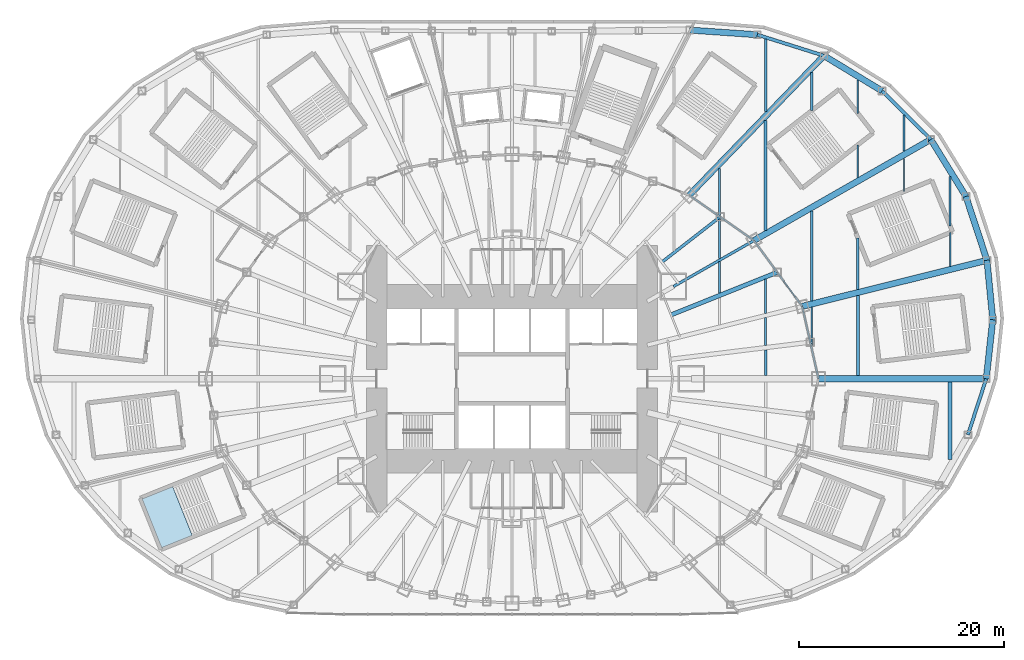
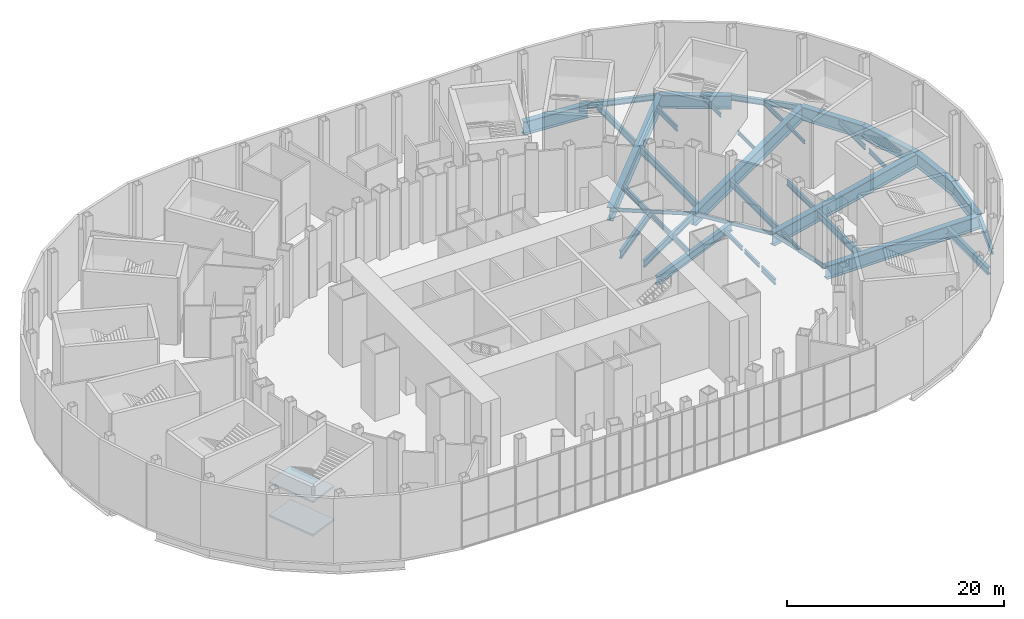
# One storey, part 10 of 73: 42 beams, 2 slabs, 1 element without a shape of its own.
"""IFC4 building model written with IfcOpenShell, lengths in metres."""

from ifc_helpers import new_model, si_unit, direction, frame, origin, origin_2d, place, context, subcontext, project, spatial, polyline, i_section, outline, extrude, material, layer, layer_set, material_profile, profile_set, type_object, element, aggregate, save


model = new_model("IFC4")

# Units and contexts
model_context = context("Model", 3, precision=1e-05, world=origin(), true_north=direction((0.0, 1.0)))
body_context = subcontext(model_context, "Body", "Model", "MODEL_VIEW")
ifc_project = project(units=[si_unit("LENGTHUNIT", "METRE"), si_unit("AREAUNIT", "SQUARE_METRE"), si_unit("VOLUMEUNIT", "CUBIC_METRE"), si_unit("PLANEANGLEUNIT", "RADIAN"), si_unit("MASSUNIT", "GRAM", prefix="KILO")], contexts=[model_context])

# Site, building, storey
site_placement = place(None, origin())
site = spatial("IfcSite", under=ifc_project, at=site_placement, CompositionType="ELEMENT")
building_placement = place(site_placement, origin())
building = spatial("IfcBuilding", under=site, at=building_placement, Name="Lantaw Convention Tower", CompositionType="ELEMENT")
storey_placement = place(building_placement, frame((0.0, 0.0, 14.5)))
storey = spatial("IfcBuildingStorey", under=building, at=storey_placement, Name="L02", CompositionType="ELEMENT", Elevation=14.5)

# Beams
ifc_material_1 = material(Name="Steel ASTM A572 Grade 50", Category="steel")
ifc_material_profile_1 = material_profile(ifc_material_1, i_section(OverallWidth=0.60009765625, OverallDepth=1.5, WebThickness=0.02490234375, FlangeThickness=0.06005859375, at=origin_2d()), Name="PG1500X600X25X60")
ifc_profile_set_1 = profile_set([ifc_material_profile_1], Name="Steel ASTM A572 Grade 50")
beam_type_1 = type_object("IfcBeamType", Name="Beam E PG1500X600X25X60", PredefinedType="SPANDREL", material=ifc_profile_set_1)
beam_1_placement = place(storey_placement, frame((46.2724609375, 0.0, -0.949951171875), z_axis=(0.109673093737, 0.993967712006, 0.0), x_axis=(-0.993967712006, 0.109673093737, 0.0)))
element("IfcBeam", 1, at=beam_1_placement, inside=storey, type_object=beam_type_1, Name="Podium edge beam R00", PredefinedType="SPANDREL", context=body_context, shape_type="SweptSolid", body=[
    extrude(i_section(OverallWidth=0.60009765625, OverallDepth=1.5, WebThickness=0.02490234375, FlangeThickness=0.06005859375, at=origin_2d()), origin(), (0.0, 0.0, 1.0), 5.79443359375),
])
beam_2_placement = place(storey_placement, frame((46.907958984375, 5.759521484375, -0.949951171875), z_axis=(-0.097112121047, 0.995273447825, 0.0), x_axis=(-0.995273447825, -0.097112121047, 0.0)))
element("IfcBeam", 2, at=beam_2_placement, inside=storey, type_object=beam_type_1, Name="Podium edge beam B00", PredefinedType="SPANDREL", context=body_context, shape_type="SweptSolid", body=[
    extrude(i_section(OverallWidth=0.60009765625, OverallDepth=1.5, WebThickness=0.02490234375, FlangeThickness=0.06005859375, at=origin_2d()), origin(), (0.0, 0.0, 1.0), 5.822509765625),
])
beam_3_placement = place(storey_placement, frame((46.342529296875, 11.554443359375, -0.949951171875), z_axis=(-0.312739573604, 0.949838912186, 0.0), x_axis=(-0.949838912186, -0.312739573604, 0.0)))
element("IfcBeam", 3, at=beam_3_placement, inside=storey, type_object=beam_type_1, Name="Podium edge beam R01", PredefinedType="SPANDREL", context=body_context, shape_type="SweptSolid", body=[
    extrude(i_section(OverallWidth=0.60009765625, OverallDepth=1.5, WebThickness=0.02490234375, FlangeThickness=0.06005859375, at=origin_2d()), origin(), (0.0, 0.0, 1.0), 6.55517578125),
])
beam_4_placement = place(storey_placement, frame((44.29248046875, 17.78076171875, -0.949951171875), z_axis=(-0.524178644867, 0.851608330317, 0.0), x_axis=(-0.851608330317, -0.524178644867, 0.0)))
element("IfcBeam", 4, at=beam_4_placement, inside=storey, type_object=beam_type_1, Name="Podium edge beam B01", PredefinedType="SPANDREL", context=body_context, shape_type="SweptSolid", body=[
    extrude(i_section(OverallWidth=0.60009765625, OverallDepth=1.5, WebThickness=0.02490234375, FlangeThickness=0.06005859375, at=origin_2d()), origin(), (0.0, 0.0, 1.0), 6.54052734375),
])
beam_5_placement = place(storey_placement, frame((36.107666015625, 28.081298828125, -0.949951171875), z_axis=(-0.855269526547, 0.518183400893, 0.0), x_axis=(-0.518183400893, -0.855269526547, 0.0)))
element("IfcBeam", 5, at=beam_5_placement, inside=storey, type_object=beam_type_1, Name="Podium edge beam B02", PredefinedType="SPANDREL", context=body_context, shape_type="SweptSolid", body=[
    extrude(i_section(OverallWidth=0.60009765625, OverallDepth=1.5, WebThickness=0.02490234375, FlangeThickness=0.06005859375, at=origin_2d()), origin(), (0.0, 0.0, 1.0), 6.63134765625),
])
beam_6_placement = place(storey_placement, frame((23.940185546875, 33.562744140625, -0.949951171875), z_axis=(-0.997615470709, 0.069017190627, 0.0), x_axis=(-0.069017190627, -0.997615470709, 0.0)))
element("IfcBeam", 6, at=beam_6_placement, inside=storey, type_object=beam_type_1, Name="Podium edge beam B03", PredefinedType="SPANDREL", context=body_context, shape_type="SweptSolid", body=[
    extrude(i_section(OverallWidth=0.60009765625, OverallDepth=1.5, WebThickness=0.02490234375, FlangeThickness=0.06005859375, at=origin_2d()), origin(), (0.0, 0.0, 1.0), 6.6220703125),
])
ifc_material_2 = material(Name="Steel ASTM A992", Category="steel")
ifc_material_profile_2 = material_profile(ifc_material_2, i_section(OverallWidth=0.140380859375, OverallDepth=0.40380859375, WebThickness=0.007080078125, FlangeThickness=0.01123046875, FilletRadius=0.01025390625, at=origin_2d()), Name="W16X31")
ifc_profile_set_2 = profile_set([ifc_material_profile_2], Name="Steel ASTM A992")
beam_type_2 = type_object("IfcBeamType", Name="Beam E W16X31", PredefinedType="SPANDREL", material=ifc_profile_set_2)
beam_7_placement = place(storey_placement, frame((29.099365234375, 3.572998046875, -0.40185546875), z_axis=(-0.218673326171, 0.97579812278, 0.0), x_axis=(-0.97579812278, -0.218673326171, 0.0)))
element("IfcBeam", 7, at=beam_7_placement, inside=storey, type_object=beam_type_2, Name="Edge beam 1", PredefinedType="SPANDREL", context=body_context, shape_type="SweptSolid", body=[
    extrude(i_section(OverallWidth=0.140380859375, OverallDepth=0.40380859375, WebThickness=0.007080078125, FlangeThickness=0.01123046875, FilletRadius=0.01025390625, at=origin_2d()), origin(), (0.0, 0.0, 1.0), 3.57373046875),
])
beam_8_placement = place(storey_placement, frame((28.31787109375, 7.060302734375, -0.40185546875), z_axis=(-0.591255937291, 0.806483984105, 0.0), x_axis=(-0.806483984105, -0.591255937291, 0.0)))
element("IfcBeam", 8, at=beam_8_placement, inside=storey, type_object=beam_type_2, Name="Edge beam 2", PredefinedType="SPANDREL", context=body_context, shape_type="SweptSolid", body=[
    extrude(i_section(OverallWidth=0.140380859375, OverallDepth=0.40380859375, WebThickness=0.007080078125, FlangeThickness=0.01123046875, FilletRadius=0.01025390625, at=origin_2d()), origin(), (0.0, 0.0, 1.0), 4.126708984375),
])
beam_9_placement = place(storey_placement, frame((25.8779296875, 10.388427734375, -0.40185546875), z_axis=(-0.591286566758, 0.806461527893, 0.0), x_axis=(-0.806461527893, -0.591286566758, 0.0)))
element("IfcBeam", 9, at=beam_9_placement, inside=storey, type_object=beam_type_2, Name="Edge beam 2", PredefinedType="SPANDREL", context=body_context, shape_type="SweptSolid", body=[
    extrude(i_section(OverallWidth=0.140380859375, OverallDepth=0.40380859375, WebThickness=0.007080078125, FlangeThickness=0.01123046875, FilletRadius=0.01025390625, at=origin_2d()), origin(), (0.0, 0.0, 1.0), 3.843994140625),
])
beam_10_placement = place(storey_placement, frame((23.60498046875, 13.488525390625, -0.40185546875), z_axis=(-0.819442856133, 0.573160889744, 0.0), x_axis=(-0.573160889744, -0.819442856133, 0.0)))
element("IfcBeam", 10, at=beam_10_placement, inside=storey, type_object=beam_type_2, Name="Edge beam 3", PredefinedType="SPANDREL", context=body_context, shape_type="SweptSolid", body=[
    extrude(i_section(OverallWidth=0.140380859375, OverallDepth=0.40380859375, WebThickness=0.007080078125, FlangeThickness=0.01123046875, FilletRadius=0.01025390625, at=origin_2d()), origin(), (0.0, 0.0, 1.0), 4.022705078125),
])
beam_11_placement = place(storey_placement, frame((20.30859375, 15.794189453125, -0.40185546875), z_axis=(-0.819409395821, 0.573208724672, 0.0), x_axis=(-0.573208724672, -0.819409395821, 0.0)))
element("IfcBeam", 11, at=beam_11_placement, inside=storey, type_object=beam_type_2, Name="Edge beam 3", PredefinedType="SPANDREL", context=body_context, shape_type="SweptSolid", body=[
    extrude(i_section(OverallWidth=0.140380859375, OverallDepth=0.40380859375, WebThickness=0.007080078125, FlangeThickness=0.01123046875, FilletRadius=0.01025390625, at=origin_2d()), origin(), (0.0, 0.0, 1.0), 3.682861328125),
])
ifc_material_profile_3 = material_profile(ifc_material_2, i_section(OverallWidth=0.15234375, OverallDepth=0.449462890625, WebThickness=0.007568359375, FlangeThickness=0.0107421875, FilletRadius=0.01025390625, at=origin_2d()), Name="W18X35")
ifc_profile_set_3 = profile_set([ifc_material_profile_3], Name="Steel ASTM A992")
beam_type_3 = type_object("IfcBeamType", Name="Beam E W18X35", PredefinedType="SPANDREL", material=ifc_profile_set_3)
beam_12_placement = place(storey_placement, frame((29.89990234375, 0.0, -0.4248046875), z_axis=(-0.218631550323, 0.975807483679, 0.0), x_axis=(-0.975807483679, -0.218631550323, 0.0)))
element("IfcBeam", 12, at=beam_12_placement, inside=storey, type_object=beam_type_3, Name="Edge beam 1", PredefinedType="SPANDREL", context=body_context, shape_type="SweptSolid", body=[
    extrude(i_section(OverallWidth=0.15234375, OverallDepth=0.449462890625, WebThickness=0.007568359375, FlangeThickness=0.0107421875, FilletRadius=0.01025390625, at=origin_2d()), origin(), (0.0, 0.0, 1.0), 3.66162109375),
])
ifc_material_profile_4 = material_profile(ifc_material_2, i_section(OverallWidth=0.3251953125, OverallDepth=0.612060546875, WebThickness=0.0126953125, FlangeThickness=0.01904296875, FilletRadius=0.0126953125, at=origin_2d()), Name="W24X104")
ifc_profile_set_4 = profile_set([ifc_material_profile_4], Name="Steel ASTM A992")
beam_type_4 = type_object("IfcBeamType", Name="Beam E W24X104", PredefinedType="SPANDREL", material=ifc_profile_set_4)
beam_13_placement = place(storey_placement, frame((40.864013671875, 23.350830078125, -0.506103515625), z_axis=(-0.709033046271, 0.705175254314, 0.0), x_axis=(-0.705175254314, -0.709033046271, 0.0)))
element("IfcBeam", 13, at=beam_13_placement, inside=storey, type_object=beam_type_4, Name="Podium edge beam R02", PredefinedType="SPANDREL", context=body_context, shape_type="SweptSolid", body=[
    extrude(i_section(OverallWidth=0.3251953125, OverallDepth=0.612060546875, WebThickness=0.0126953125, FlangeThickness=0.01904296875, FilletRadius=0.0126953125, at=origin_2d()), origin(), (0.0, 0.0, 1.0), 6.708251953125),
])
beam_14_placement = place(storey_placement, frame((30.43603515625, 31.517578125, -0.506103515625), z_axis=(-0.953841834513, 0.300309431643, 0.0), x_axis=(-0.300309431643, -0.953841834513, 0.0)))
element("IfcBeam", 14, at=beam_14_placement, inside=storey, type_object=beam_type_4, Name="Podium edge beam R03", PredefinedType="SPANDREL", context=body_context, shape_type="SweptSolid", body=[
    extrude(i_section(OverallWidth=0.3251953125, OverallDepth=0.612060546875, WebThickness=0.0126953125, FlangeThickness=0.01904296875, FilletRadius=0.0126953125, at=origin_2d()), origin(), (0.0, 0.0, 1.0), 6.810302734375),
])
beam_15_placement = place(storey_placement, frame((44.488525390625, -5.46240234375, -0.506103515625), z_axis=(0.310448009473, 0.950590360468, 0.0), x_axis=(-0.950590360468, 0.310448009473, 0.0)))
element("IfcBeam", 15, at=beam_15_placement, inside=storey, type_object=beam_type_4, Name="Podium edge beam B23", PredefinedType="SPANDREL", context=body_context, shape_type="SweptSolid", body=[
    extrude(i_section(OverallWidth=0.3251953125, OverallDepth=0.612060546875, WebThickness=0.0126953125, FlangeThickness=0.01904296875, FilletRadius=0.0126953125, at=origin_2d()), origin(), (0.0, 0.0, 1.0), 5.746337890625),
])
ifc_material_profile_5 = material_profile(ifc_material_2, i_section(OverallWidth=0.2666015625, OverallDepth=0.76953125, WebThickness=0.015625, FlangeThickness=0.025390625, FilletRadius=0.0126953125, at=origin_2d()), Name="W30X132")
ifc_profile_set_5 = profile_set([ifc_material_profile_5], Name="Steel ASTM A992")
beam_type_5 = type_object("IfcBeamType", Name="Beam G W30X132", PredefinedType="BEAM", material=ifc_profile_set_5)
beam_16_placement = place(storey_placement, frame((15.75, 9.0, -0.584716796875), z_axis=(0.868244802791, 0.496136032179, 0.0), x_axis=(-0.496136032179, 0.868244802791, 0.0)))
element("IfcBeam", 16, at=beam_16_placement, inside=storey, type_object=beam_type_5, Name="Floor girder on ray 3", PredefinedType="BEAM", context=body_context, shape_type="SweptSolid", body=[
    extrude(i_section(OverallWidth=0.2666015625, OverallDepth=0.76953125, WebThickness=0.015625, FlangeThickness=0.025390625, FilletRadius=0.0126953125, at=origin_2d()), origin(), (0.0, 0.0, 1.0), 9.046875),
])
ifc_material_profile_6 = material_profile(ifc_material_2, i_section(OverallWidth=0.2919921875, OverallDepth=0.845703125, WebThickness=0.015380859375, FlangeThickness=0.0244140625, FilletRadius=0.01513671875, at=origin_2d()), Name="W33X141")
ifc_profile_set_6 = profile_set([ifc_material_profile_6], Name="Steel ASTM A992")
beam_type_6 = type_object("IfcBeamType", Name="Beam G W33X141", PredefinedType="BEAM", material=ifc_profile_set_6)
beam_17_placement = place(storey_placement, frame((14.628173828125, 11.37646484375, -0.622802734375), z_axis=(0.789377792374, 0.613907729961, 0.0), x_axis=(-0.613907729961, 0.789377792374, 0.0)))
element("IfcBeam", 17, at=beam_17_placement, inside=storey, type_object=beam_type_6, Name="Floor girder on bisector 3", PredefinedType="BEAM", context=body_context, shape_type="SweptSolid", body=[
    extrude(i_section(OverallWidth=0.2919921875, OverallDepth=0.845703125, WebThickness=0.015380859375, FlangeThickness=0.0244140625, FilletRadius=0.01513671875, at=origin_2d()), origin(), (0.0, 0.0, 1.0), 7.196044921875),
])
ifc_material_profile_7 = material_profile(ifc_material_2, i_section(OverallWidth=0.421630859375, OverallDepth=0.937255859375, WebThickness=0.0224609375, FlangeThickness=0.039794921875, FilletRadius=0.02001953125, at=origin_2d()), Name="W36X282")
ifc_profile_set_7 = profile_set([ifc_material_profile_7], Name="Steel ASTM A992")
beam_type_7 = type_object("IfcBeamType", Name="Beam G W36X282", PredefinedType="BEAM", material=ifc_profile_set_7)
beam_18_placement = place(storey_placement, frame((15.52001953125, 6.23046875, -0.668701171875), z_axis=(0.928018900171, 0.372533113864, 0.0), x_axis=(-0.372533113864, 0.928018900171, 0.0)))
element("IfcBeam", 18, at=beam_18_placement, inside=storey, type_object=beam_type_7, Name="Floor girder on bisector 2", PredefinedType="BEAM", context=body_context, shape_type="SweptSolid", body=[
    extrude(i_section(OverallWidth=0.421630859375, OverallDepth=0.937255859375, WebThickness=0.0224609375, FlangeThickness=0.039794921875, FilletRadius=0.02001953125, at=origin_2d()), origin(), (0.0, 0.0, 1.0), 11.161376953125),
])
ifc_material_profile_8 = material_profile(ifc_material_2, i_section(OverallWidth=0.140380859375, OverallDepth=0.40380859375, WebThickness=0.007080078125, FlangeThickness=0.01123046875, FilletRadius=0.01025390625, at=origin_2d()), Name="W16X31")
ifc_profile_set_8 = profile_set([ifc_material_profile_8], Name="Steel ASTM A992")
beam_type_8 = type_object("IfcBeamType", Name="Beam J W16X31", PredefinedType="JOIST", material=ifc_profile_set_8)
beam_19_placement = place(storey_placement, frame((38.25, 18.264404296875, -0.40185546875), z_axis=(0.0, 1.0, 0.0), x_axis=(-1.0, 0.0, 0.0)))
element("IfcBeam", 19, at=beam_19_placement, inside=storey, type_object=beam_type_8, Name="Floor joist", PredefinedType="JOIST", context=body_context, shape_type="SweptSolid", body=[
    extrude(i_section(OverallWidth=0.140380859375, OverallDepth=0.40380859375, WebThickness=0.007080078125, FlangeThickness=0.01123046875, FilletRadius=0.01025390625, at=origin_2d()), origin(), (0.0, 0.0, 1.0), 3.247314453125),
])
ifc_material_profile_9 = material_profile(ifc_material_2, i_section(OverallWidth=0.15234375, OverallDepth=0.449462890625, WebThickness=0.007568359375, FlangeThickness=0.0107421875, FilletRadius=0.01025390625, at=origin_2d()), Name="W18X35")
ifc_profile_set_9 = profile_set([ifc_material_profile_9], Name="Steel ASTM A992")
beam_type_9 = type_object("IfcBeamType", Name="Beam J W18X35", PredefinedType="JOIST", material=ifc_profile_set_9)
beam_20_placement = place(storey_placement, frame((33.75, 19.63134765625, -0.4248046875), z_axis=(0.0, 1.0, 0.0), x_axis=(-1.0, 0.0, 0.0)))
element("IfcBeam", 20, at=beam_20_placement, inside=storey, type_object=beam_type_9, Name="Floor joist", PredefinedType="JOIST", context=body_context, shape_type="SweptSolid", body=[
    extrude(i_section(OverallWidth=0.15234375, OverallDepth=0.449462890625, WebThickness=0.007568359375, FlangeThickness=0.0107421875, FilletRadius=0.01025390625, at=origin_2d()), origin(), (0.0, 0.0, 1.0), 3.19580078125),
])
beam_21_placement = place(storey_placement, frame((33.75, 25.900390625, -0.4248046875), z_axis=(0.0, 1.0, 0.0), x_axis=(-1.0, 0.0, 0.0)))
element("IfcBeam", 21, at=beam_21_placement, inside=storey, type_object=beam_type_9, Name="Floor joist", PredefinedType="JOIST", context=body_context, shape_type="SweptSolid", body=[
    extrude(i_section(OverallWidth=0.15234375, OverallDepth=0.449462890625, WebThickness=0.007568359375, FlangeThickness=0.0107421875, FilletRadius=0.01025390625, at=origin_2d()), origin(), (0.0, 0.0, 1.0), 3.258544921875),
])
ifc_material_profile_10 = material_profile(ifc_material_2, i_section(OverallWidth=0.1904296875, OverallDepth=0.457275390625, WebThickness=0.009033203125, FlangeThickness=0.014404296875, FilletRadius=0.01025390625, at=origin_2d()), Name="W18X50")
ifc_profile_set_10 = profile_set([ifc_material_profile_10], Name="Steel ASTM A992")
beam_type_10 = type_object("IfcBeamType", Name="Beam J W18X50", PredefinedType="JOIST", material=ifc_profile_set_10)
beam_22_placement = place(storey_placement, frame((24.75, 3.251220703125, -0.4287109375), z_axis=(0.0, 1.0, 0.0), x_axis=(-1.0, 0.0, 0.0)))
element("IfcBeam", 22, at=beam_22_placement, inside=storey, type_object=beam_type_10, Name="Floor joist", PredefinedType="JOIST", context=body_context, shape_type="SweptSolid", body=[
    extrude(i_section(OverallWidth=0.1904296875, OverallDepth=0.457275390625, WebThickness=0.009033203125, FlangeThickness=0.014404296875, FilletRadius=0.01025390625, at=origin_2d()), origin(), (0.0, 0.0, 1.0), 2.71142578125),
])
beam_23_placement = place(storey_placement, frame((24.75, 6.37890625, -0.4287109375), z_axis=(0.0, 1.0, 0.0), x_axis=(-1.0, 0.0, 0.0)))
element("IfcBeam", 23, at=beam_23_placement, inside=storey, type_object=beam_type_10, Name="Floor joist", PredefinedType="JOIST", context=body_context, shape_type="SweptSolid", body=[
    extrude(i_section(OverallWidth=0.1904296875, OverallDepth=0.457275390625, WebThickness=0.009033203125, FlangeThickness=0.014404296875, FilletRadius=0.01025390625, at=origin_2d()), origin(), (0.0, 0.0, 1.0), 3.32958984375),
])
ifc_material_profile_11 = material_profile(ifc_material_2, i_section(OverallWidth=0.1650390625, OverallDepth=0.52587890625, WebThickness=0.0087890625, FlangeThickness=0.011474609375, FilletRadius=0.0126953125, at=origin_2d()), Name="W21X44")
ifc_profile_set_11 = profile_set([ifc_material_profile_11], Name="Steel ASTM A992")
beam_type_11 = type_object("IfcBeamType", Name="Beam J W21X44", PredefinedType="JOIST", material=ifc_profile_set_11)
beam_24_placement = place(storey_placement, frame((20.25, 8.3564453125, -0.462890625), z_axis=(0.0, 1.0, 0.0), x_axis=(-1.0, 0.0, 0.0)))
element("IfcBeam", 24, at=beam_24_placement, inside=storey, type_object=beam_type_11, Name="Floor joist", PredefinedType="JOIST", context=body_context, shape_type="SweptSolid", body=[
    extrude(i_section(OverallWidth=0.1650390625, OverallDepth=0.52587890625, WebThickness=0.0087890625, FlangeThickness=0.011474609375, FilletRadius=0.0126953125, at=origin_2d()), origin(), (0.0, 0.0, 1.0), 3.0615234375),
])
beam_25_placement = place(storey_placement, frame((29.25, 3.2490234375, -0.462890625), z_axis=(0.0, 1.0, 0.0), x_axis=(-1.0, 0.0, 0.0)))
element("IfcBeam", 25, at=beam_25_placement, inside=storey, type_object=beam_type_11, Name="Floor joist", PredefinedType="JOIST", context=body_context, shape_type="SweptSolid", body=[
    extrude(i_section(OverallWidth=0.1650390625, OverallDepth=0.52587890625, WebThickness=0.0087890625, FlangeThickness=0.011474609375, FilletRadius=0.0126953125, at=origin_2d()), origin(), (0.0, 0.0, 1.0), 3.734619140625),
])
beam_26_placement = place(storey_placement, frame((38.25, 22.20263671875, -0.462890625), z_axis=(0.0, 1.0, 0.0), x_axis=(-1.0, 0.0, 0.0)))
element("IfcBeam", 26, at=beam_26_placement, inside=storey, type_object=beam_type_11, Name="Floor joist", PredefinedType="JOIST", context=body_context, shape_type="SweptSolid", body=[
    extrude(i_section(OverallWidth=0.1650390625, OverallDepth=0.52587890625, WebThickness=0.0087890625, FlangeThickness=0.011474609375, FilletRadius=0.0126953125, at=origin_2d()), origin(), (0.0, 0.0, 1.0), 3.518798828125),
])
beam_27_placement = place(storey_placement, frame((42.75, 10.968017578125, -0.462890625), z_axis=(0.0, 1.0, 0.0), x_axis=(-1.0, 0.0, 0.0)))
element("IfcBeam", 27, at=beam_27_placement, inside=storey, type_object=beam_type_11, Name="Floor joist", PredefinedType="JOIST", context=body_context, shape_type="SweptSolid", body=[
    extrude(i_section(OverallWidth=0.1650390625, OverallDepth=0.52587890625, WebThickness=0.0087890625, FlangeThickness=0.011474609375, FilletRadius=0.0126953125, at=origin_2d()), origin(), (0.0, 0.0, 1.0), 3.2841796875),
])
ifc_material_profile_12 = material_profile(ifc_material_2, i_section(OverallWidth=0.16650390625, OverallDepth=0.535888671875, WebThickness=0.01025390625, FlangeThickness=0.0166015625, FilletRadius=0.0126953125, at=origin_2d()), Name="W21X57")
ifc_profile_set_12 = profile_set([ifc_material_profile_12], Name="Steel ASTM A992")
beam_type_12 = type_object("IfcBeamType", Name="Beam J W21X57", PredefinedType="JOIST", material=ifc_profile_set_12)
beam_28_placement = place(storey_placement, frame((20.25, 11.72509765625, -0.468017578125), z_axis=(0.0, 1.0, 0.0), x_axis=(-1.0, 0.0, 0.0)))
element("IfcBeam", 28, at=beam_28_placement, inside=storey, type_object=beam_type_12, Name="Floor joist", PredefinedType="JOIST", context=body_context, shape_type="SweptSolid", body=[
    extrude(i_section(OverallWidth=0.16650390625, OverallDepth=0.535888671875, WebThickness=0.01025390625, FlangeThickness=0.0166015625, FilletRadius=0.0126953125, at=origin_2d()), origin(), (0.0, 0.0, 1.0), 3.83837890625),
])
ifc_material_profile_13 = material_profile(ifc_material_2, i_section(OverallWidth=0.177978515625, OverallDepth=0.599365234375, WebThickness=0.010009765625, FlangeThickness=0.012939453125, FilletRadius=0.012939453125, at=origin_2d()), Name="W24X55")
ifc_profile_set_13 = profile_set([ifc_material_profile_13], Name="Steel ASTM A992")
beam_type_13 = type_object("IfcBeamType", Name="Beam J W24X55", PredefinedType="JOIST", material=ifc_profile_set_13)
beam_29_placement = place(storey_placement, frame((42.75, 14.91259765625, -0.499755859375), z_axis=(0.0, 1.0, 0.0), x_axis=(-1.0, 0.0, 0.0)))
element("IfcBeam", 29, at=beam_29_placement, inside=storey, type_object=beam_type_13, Name="Floor joist", PredefinedType="JOIST", context=body_context, shape_type="SweptSolid", body=[
    extrude(i_section(OverallWidth=0.177978515625, OverallDepth=0.599365234375, WebThickness=0.010009765625, FlangeThickness=0.012939453125, FilletRadius=0.012939453125, at=origin_2d()), origin(), (0.0, 0.0, 1.0), 4.8017578125),
])
ifc_material_profile_14 = material_profile(ifc_material_2, i_section(OverallWidth=0.227783203125, OverallDepth=0.60205078125, WebThickness=0.010498046875, FlangeThickness=0.014892578125, FilletRadius=0.012939453125, at=origin_2d()), Name="W24X68")
ifc_profile_set_14 = profile_set([ifc_material_profile_14], Name="Steel ASTM A992")
beam_type_14 = type_object("IfcBeamType", Name="Beam J W24X68", PredefinedType="JOIST", material=ifc_profile_set_14)
beam_30_placement = place(storey_placement, frame((29.25, 26.16845703125, -0.5009765625), z_axis=(0.0, 1.0, 0.0), x_axis=(-1.0, 0.0, 0.0)))
element("IfcBeam", 30, at=beam_30_placement, inside=storey, type_object=beam_type_14, Name="Floor joist", PredefinedType="JOIST", context=body_context, shape_type="SweptSolid", body=[
    extrude(i_section(OverallWidth=0.227783203125, OverallDepth=0.60205078125, WebThickness=0.010498046875, FlangeThickness=0.014892578125, FilletRadius=0.012939453125, at=origin_2d()), origin(), (0.0, 0.0, 1.0), 3.68896484375),
])
ifc_material_profile_15 = material_profile(ifc_material_2, i_section(OverallWidth=0.22900390625, OverallDepth=0.612060546875, WebThickness=0.011962890625, FlangeThickness=0.01953125, FilletRadius=0.0126953125, at=origin_2d()), Name="W24X84")
ifc_profile_set_15 = profile_set([ifc_material_profile_15], Name="Steel ASTM A992")
beam_type_15 = type_object("IfcBeamType", Name="Beam J W24X84", PredefinedType="JOIST", material=ifc_profile_set_15)
beam_31_placement = place(storey_placement, frame((20.25, 15.9208984375, -0.506103515625), z_axis=(0.0, 1.0, 0.0), x_axis=(-1.0, 0.0, 0.0)))
element("IfcBeam", 31, at=beam_31_placement, inside=storey, type_object=beam_type_15, Name="Floor joist", PredefinedType="JOIST", context=body_context, shape_type="SweptSolid", body=[
    extrude(i_section(OverallWidth=0.22900390625, OverallDepth=0.612060546875, WebThickness=0.011962890625, FlangeThickness=0.01953125, FilletRadius=0.0126953125, at=origin_2d()), origin(), (0.0, 0.0, 1.0), 4.61669921875),
])
beam_32_placement = place(storey_placement, frame((24.75, 0.300048828125, -0.506103515625), z_axis=(0.0, 1.0, 0.0), x_axis=(-1.0, 0.0, 0.0)))
element("IfcBeam", 32, at=beam_32_placement, inside=storey, type_object=beam_type_15, Name="Floor joist", PredefinedType="JOIST", context=body_context, shape_type="SweptSolid", body=[
    extrude(i_section(OverallWidth=0.22900390625, OverallDepth=0.612060546875, WebThickness=0.011962890625, FlangeThickness=0.01953125, FilletRadius=0.0126953125, at=origin_2d()), origin(), (0.0, 0.0, 1.0), 2.5263671875),
])
beam_33_placement = place(storey_placement, frame((33.75, 8.72412109375, -0.506103515625), z_axis=(0.0, 1.0, 0.0), x_axis=(-1.0, 0.0, 0.0)))
element("IfcBeam", 33, at=beam_33_placement, inside=storey, type_object=beam_type_15, Name="Floor joist", PredefinedType="JOIST", context=body_context, shape_type="SweptSolid", body=[
    extrude(i_section(OverallWidth=0.22900390625, OverallDepth=0.612060546875, WebThickness=0.011962890625, FlangeThickness=0.01953125, FilletRadius=0.0126953125, at=origin_2d()), origin(), (0.0, 0.0, 1.0), 4.986328125),
])
ifc_material_profile_16 = material_profile(ifc_material_2, i_section(OverallWidth=0.2666015625, OverallDepth=0.7568359375, WebThickness=0.013916015625, FlangeThickness=0.019287109375, FilletRadius=0.0126953125, at=origin_2d()), Name="W30X108")
ifc_profile_set_16 = profile_set([ifc_material_profile_16], Name="Steel ASTM A992")
beam_type_16 = type_object("IfcBeamType", Name="Beam J W30X108", PredefinedType="JOIST", material=ifc_profile_set_16)
beam_34_placement = place(storey_placement, frame((24.75, 26.061279296875, -0.578369140625), z_axis=(0.0, 1.0, 0.0), x_axis=(-1.0, 0.0, 0.0)))
element("IfcBeam", 34, at=beam_34_placement, inside=storey, type_object=beam_type_16, Name="Floor joist", PredefinedType="JOIST", context=body_context, shape_type="SweptSolid", body=[
    extrude(i_section(OverallWidth=0.2666015625, OverallDepth=0.7568359375, WebThickness=0.013916015625, FlangeThickness=0.019287109375, FilletRadius=0.0126953125, at=origin_2d()), origin(), (0.0, 0.0, 1.0), 7.076171875),
])
beam_35_placement = place(storey_placement, frame((29.25, 7.60205078125, -0.578369140625), z_axis=(0.0, 1.0, 0.0), x_axis=(-1.0, 0.0, 0.0)))
element("IfcBeam", 35, at=beam_35_placement, inside=storey, type_object=beam_type_16, Name="Floor joist", PredefinedType="JOIST", context=body_context, shape_type="SweptSolid", body=[
    extrude(i_section(OverallWidth=0.2666015625, OverallDepth=0.7568359375, WebThickness=0.013916015625, FlangeThickness=0.019287109375, FilletRadius=0.0126953125, at=origin_2d()), origin(), (0.0, 0.0, 1.0), 8.7666015625),
])
ifc_material_profile_17 = material_profile(ifc_material_2, i_section(OverallWidth=0.381103515625, OverallDepth=0.772216796875, WebThickness=0.0166015625, FlangeThickness=0.027099609375, FilletRadius=0.0146484375, at=origin_2d()), Name="W30X173")
ifc_profile_set_17 = profile_set([ifc_material_profile_17], Name="Steel ASTM A992")
beam_type_17 = type_object("IfcBeamType", Name="Beam J W30X173", PredefinedType="JOIST", material=ifc_profile_set_17)
beam_36_placement = place(storey_placement, frame((42.75, -7.89990234375, -0.586181640625), z_axis=(0.0, 1.0, 0.0), x_axis=(-1.0, 0.0, 0.0)))
element("IfcBeam", 36, at=beam_36_placement, inside=storey, type_object=beam_type_17, Name="Floor joist", PredefinedType="JOIST", context=body_context, shape_type="SweptSolid", body=[
    extrude(i_section(OverallWidth=0.381103515625, OverallDepth=0.772216796875, WebThickness=0.0166015625, FlangeThickness=0.027099609375, FilletRadius=0.0146484375, at=origin_2d()), origin(), (0.0, 0.0, 1.0), 7.599853515625),
])
ifc_material_profile_18 = material_profile(ifc_material_2, i_section(OverallWidth=0.2919921875, OverallDepth=0.845703125, WebThickness=0.015380859375, FlangeThickness=0.0244140625, FilletRadius=0.01513671875, at=origin_2d()), Name="W33X141")
ifc_profile_set_18 = profile_set([ifc_material_profile_18], Name="Steel ASTM A992")
beam_type_18 = type_object("IfcBeamType", Name="Beam J W33X141", PredefinedType="JOIST", material=ifc_profile_set_18)
beam_37_placement = place(storey_placement, frame((24.75, 14.48828125, -0.622802734375), z_axis=(0.0, 1.0, 0.0), x_axis=(-1.0, 0.0, 0.0)))
element("IfcBeam", 37, at=beam_37_placement, inside=storey, type_object=beam_type_18, Name="Floor joist", PredefinedType="JOIST", context=body_context, shape_type="SweptSolid", body=[
    extrude(i_section(OverallWidth=0.2919921875, OverallDepth=0.845703125, WebThickness=0.015380859375, FlangeThickness=0.0244140625, FilletRadius=0.01513671875, at=origin_2d()), origin(), (0.0, 0.0, 1.0), 10.709228515625),
])
beam_38_placement = place(storey_placement, frame((33.75, 0.300048828125, -0.622802734375), z_axis=(0.0, 1.0, 0.0), x_axis=(-1.0, 0.0, 0.0)))
element("IfcBeam", 38, at=beam_38_placement, inside=storey, type_object=beam_type_18, Name="Floor joist", PredefinedType="JOIST", context=body_context, shape_type="SweptSolid", body=[
    extrude(i_section(OverallWidth=0.2919921875, OverallDepth=0.845703125, WebThickness=0.015380859375, FlangeThickness=0.0244140625, FilletRadius=0.01513671875, at=origin_2d()), origin(), (0.0, 0.0, 1.0), 7.8056640625),
])
ifc_material_profile_19 = material_profile(ifc_material_1, i_section(OverallWidth=0.60009765625, OverallDepth=1.5, WebThickness=0.02490234375, FlangeThickness=0.06005859375, at=origin_2d()), Name="PG1500X600X25X60")
ifc_profile_set_19 = profile_set([ifc_material_profile_19], Name="Steel ASTM A572 Grade 50")
beam_type_19 = type_object("IfcBeamType", Name="Beam PG PG1500X600X25X60", PredefinedType="BEAM", material=ifc_profile_set_19)
beam_39_placement = place(storey_placement, frame((29.89990234375, 0.0, -0.949951171875), z_axis=(1.0, 0.0, 0.0), x_axis=(0.0, 1.0, 0.0)))
element("IfcBeam", 39, at=beam_39_placement, inside=storey, type_object=beam_type_19, Name="Podium girder PR01", PredefinedType="BEAM", context=body_context, shape_type="SweptSolid", body=[
    extrude(i_section(OverallWidth=0.60009765625, OverallDepth=1.5, WebThickness=0.02490234375, FlangeThickness=0.06005859375, at=origin_2d()), origin(), (0.0, 0.0, 1.0), 16.37255859375),
])
beam_40_placement = place(storey_placement, frame((28.31787109375, 7.060302734375, -0.949951171875), z_axis=(0.970294606785, 0.24192638559, 0.0), x_axis=(-0.24192638559, 0.970294606785, 0.0)))
element("IfcBeam", 40, at=beam_40_placement, inside=storey, type_object=beam_type_19, Name="Podium girder PR02", PredefinedType="BEAM", context=body_context, shape_type="SweptSolid", body=[
    extrude(i_section(OverallWidth=0.60009765625, OverallDepth=1.5, WebThickness=0.02490234375, FlangeThickness=0.06005859375, at=origin_2d()), origin(), (0.0, 0.0, 1.0), 18.576416015625),
])
beam_41_placement = place(storey_placement, frame((23.60498046875, 13.488525390625, -0.949951171875), z_axis=(0.868243142124, 0.496138938357, 0.0), x_axis=(-0.496138938357, 0.868243142124, 0.0)))
element("IfcBeam", 41, at=beam_41_placement, inside=storey, type_object=beam_type_19, Name="Podium girder PR03", PredefinedType="BEAM", context=body_context, shape_type="SweptSolid", body=[
    extrude(i_section(OverallWidth=0.60009765625, OverallDepth=1.5, WebThickness=0.02490234375, FlangeThickness=0.06005859375, at=origin_2d()), origin(), (0.0, 0.0, 1.0), 19.878173828125),
])
beam_42_placement = place(storey_placement, frame((17.290771484375, 17.9052734375, -0.949951171875), z_axis=(0.694658748795, 0.719339434984, 0.0), x_axis=(-0.719339434984, 0.694658748795, 0.0)))
element("IfcBeam", 42, at=beam_42_placement, inside=storey, type_object=beam_type_19, Name="Podium girder PR04", PredefinedType="BEAM", context=body_context, shape_type="SweptSolid", body=[
    extrude(i_section(OverallWidth=0.60009765625, OverallDepth=1.5, WebThickness=0.02490234375, FlangeThickness=0.06005859375, at=origin_2d()), origin(), (0.0, 0.0, 1.0), 18.92333984375),
])

# Stair, slabs
ifc_material_3 = material(Name="Concrete C35/45", Category="concrete")
stair_type = type_object("IfcStairType", Name="Exit stair 2400 riser 170.45 in 4 flights", PredefinedType="HALF_TURN_STAIR", material=ifc_material_3)
stair_placement = place(storey_placement, origin())
stair = element("IfcStair", 43, at=stair_placement, inside=storey, type_object=stair_type, Name="Podium exit stair P11 L02", PredefinedType="HALF_TURN_STAIR")
ifc_layer = layer(ifc_material_3, 0.199951171875)
ifc_layer_set = layer_set([ifc_layer], Name="Stair landing 200")
slab_type = type_object("IfcSlabType", Name="Stair landing 200", PredefinedType="LANDING", material=ifc_layer_set)
slab_1_placement = place(storey_placement, frame((0.0, 0.0, 1.675048828125)))
slab_1 = element("IfcSlab", 44, at=slab_1_placement, type_object=slab_type, Name="P11 landing 2", PredefinedType="LANDING", context=body_context, shape_type="SweptSolid", body=[
    extrude(outline(polyline([(-33.10986328125, -10.511474609375), (-36.109130859375, -11.715576171875), (-34.186767578125, -16.504150390625), (-31.1875, -15.300048828125), (-33.10986328125, -10.511474609375)])), origin(), (0.0, 0.0, 1.0), 0.199951171875),
])
slab_2_placement = place(storey_placement, frame((0.0, 0.0, 5.425048828125)))
slab_2 = element("IfcSlab", 45, at=slab_2_placement, type_object=slab_type, Name="P11 landing 4", PredefinedType="LANDING", context=body_context, shape_type="SweptSolid", body=[
    extrude(outline(polyline([(-33.10986328125, -10.511474609375), (-36.109130859375, -11.715576171875), (-34.186767578125, -16.504150390625), (-31.1875, -15.300048828125), (-33.10986328125, -10.511474609375)])), origin(), (0.0, 0.0, 1.0), 0.199951171875),
])
aggregate(stair, [slab_1, slab_2])

save(model, "model.ifc")
